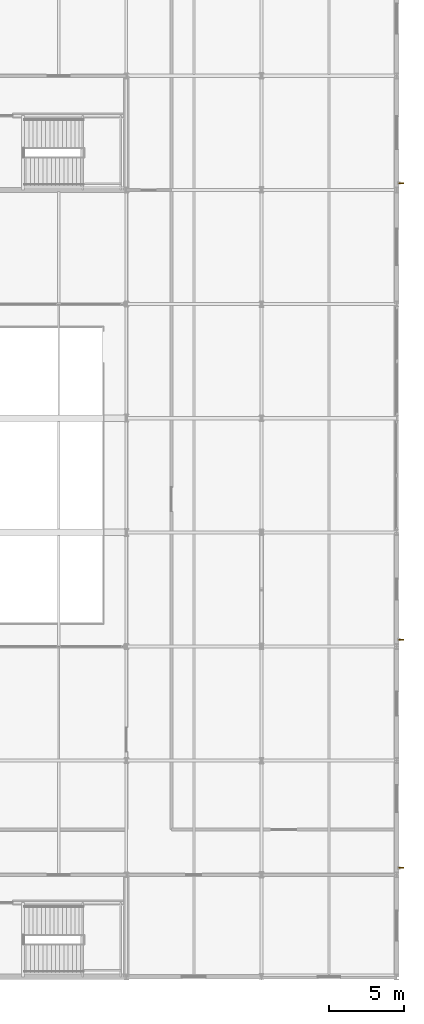
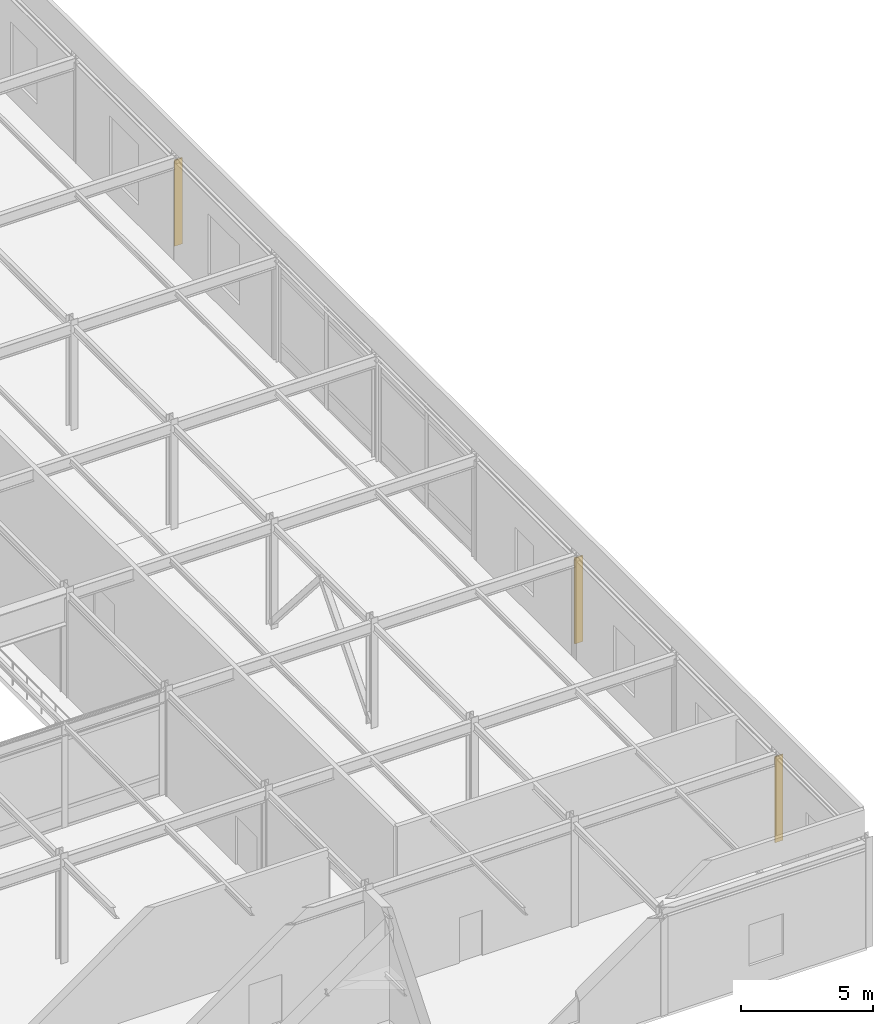
# One storey, part 78 of 79: 3 shading devices.
"""IFC4 building model written with IfcOpenShell, lengths in metres."""

import ifcopenshell
import ifcopenshell.guid

model = None  # the IFC model being written
_history = None  # IfcOwnerHistory: only IFC2X3 demands one
_inside = {}  # id of a spatial element -> (the spatial element, [elements in it])
_under = {}  # id of a project, library or spatial element -> (it, [spatial elements below it])
_declared = {}  # id of a project -> (the project, [libraries it declares])
_typed = {}  # id of a type object -> (the type object, [elements of that type])
_made_of = {}  # id of a material, layer set ... -> (it, [elements and type objects made of it])


def new_model(schema):
    """Start an empty IFC model of exactly this schema.

    Asked for "IFC4X3", IfcOpenShell would pick the latest addendum, in which some entities
    have other attributes; the version numbers below select the first issue.
    IFC2X3 requires an IfcOwnerHistory on every rooted entity: one is made here for all.
    """
    global model, _history
    if schema == "IFC4X3":
        model = ifcopenshell.file(schema_version=(4, 3, 0, 0))
    else:
        model = ifcopenshell.file(schema=schema)
    _inside.clear()
    _under.clear()
    _declared.clear()
    _typed.clear()
    _made_of.clear()
    _history = None
    if model.schema == "IFC2X3":
        org = make("IfcOrganization", Name="unknown")
        user = make(
            "IfcPersonAndOrganization",
            ThePerson=make("IfcPerson", FamilyName="unknown"),
            TheOrganization=org,
        )
        app = make(
            "IfcApplication",
            ApplicationDeveloper=org,
            Version="unknown",
            ApplicationFullName="unknown",
            ApplicationIdentifier="unknown",
        )
        _history = make(
            "IfcOwnerHistory",
            OwningUser=user,
            OwningApplication=app,
            ChangeAction="ADDED",
            CreationDate=0,
        )
    return model


def make(cls, **values):
    """One entity of the class cls with the attributes given. An attribute that is None is left unset."""
    return model.create_entity(
        cls, **{name: value for name, value in values.items() if value is not None}
    )


def rooted(cls, **values):
    """An entity with a GlobalId (a new one), such as an element, a storey or a relation."""
    return make(cls, GlobalId=ifcopenshell.guid.new(), OwnerHistory=_history, **values)


def si_unit(unit_type, name, prefix=None):
    """IfcSIUnit, for example si_unit("LENGTHUNIT", "METRE", prefix="MILLI")."""
    return make("IfcSIUnit", UnitType=unit_type, Prefix=prefix, Name=name)


def assignment(units):
    """IfcUnitAssignment: the units of a project."""
    return None if units is None else make("IfcUnitAssignment", Units=units)


def point(xyz):
    """IfcCartesianPoint."""
    return None if xyz is None else make("IfcCartesianPoint", Coordinates=xyz)


def direction(xyz):
    """IfcDirection."""
    return None if xyz is None else make("IfcDirection", DirectionRatios=xyz)


def frame(location, z_axis=None, x_axis=None):
    """IfcAxis2Placement3D, a coordinate frame: its origin and axes. An axis left out is left unset."""
    return make(
        "IfcAxis2Placement3D",
        Location=point(location),
        Axis=direction(z_axis),
        RefDirection=direction(x_axis),
    )


def frame_2d(location, x_axis=None):
    """IfcAxis2Placement2D, a coordinate frame in the plane: its origin and x axis."""
    return make(
        "IfcAxis2Placement2D", Location=point(location), RefDirection=direction(x_axis)
    )


def origin():
    """The frame at (0, 0, 0) with its axes left unset."""
    return frame((0.0, 0.0, 0.0))


def origin_2d():
    """The frame at (0, 0) in the plane with its x axis left unset."""
    return frame_2d((0.0, 0.0))


def place(relative_to, where):
    """IfcLocalPlacement: puts the frame where relative to a parent placement (None: the world)."""
    return make(
        "IfcLocalPlacement", PlacementRelTo=relative_to, RelativePlacement=where
    )


def context(
    kind, dimensions, precision=None, world=None, true_north=None, identifier=None
):
    """IfcGeometricRepresentationContext, for example the 3D "Model" context."""
    return make(
        "IfcGeometricRepresentationContext",
        ContextIdentifier=identifier,
        ContextType=kind,
        CoordinateSpaceDimension=dimensions,
        Precision=precision,
        WorldCoordinateSystem=world,
        TrueNorth=true_north,
    )


def subcontext(parent, identifier, kind, view, scale=None):
    """IfcGeometricRepresentationSubContext, for example "Body" below "Model"."""
    return make(
        "IfcGeometricRepresentationSubContext",
        ContextIdentifier=identifier,
        ContextType=kind,
        ParentContext=parent,
        TargetScale=scale,
        TargetView=view,
    )


def project(units=None, contexts=None):
    """IfcProject with its units and contexts."""
    return rooted(
        "IfcProject",
        Name="project",
        RepresentationContexts=contexts,
        UnitsInContext=assignment(units),
    )


def spatial(cls, under=None, at=None, **own):
    """A site, building, storey or space (cls), placed at a placement, below another one or the project."""
    s = rooted(cls, ObjectPlacement=at, **own)
    if under is not None:
        _under.setdefault(under.id(), (under, []))[1].append(s)
    return s


def profile(cls, at=None, kind="AREA", **sizes):
    """A parametric profile (cls). Its sizes go by their IFC names, for example OverallWidth=200.0."""
    return make(cls, ProfileType=kind, Position=at, **sizes)


def rectangle(**sizes):
    """IfcRectangleProfileDef."""
    return profile("IfcRectangleProfileDef", **sizes)


def extrude(swept, where, along, depth):
    """IfcExtrudedAreaSolid: the profile swept, set in the frame where, extruded along a direction by depth."""
    return make(
        "IfcExtrudedAreaSolid",
        SweptArea=swept,
        Position=where,
        ExtrudedDirection=direction(along),
        Depth=depth,
    )


def shape(context_of_items, identifier, shape_type, items):
    """IfcShapeRepresentation: the items that make up one representation, for example the "Body"."""
    return make(
        "IfcShapeRepresentation",
        ContextOfItems=context_of_items,
        RepresentationIdentifier=identifier,
        RepresentationType=shape_type,
        Items=items,
    )


def material(Name=None, Category=None):
    """IfcMaterial."""
    return make("IfcMaterial", Name=Name, Category=Category)


def layer(
    of_material, thickness, ventilated=None, Name=None, Category=None, Priority=None
):
    """IfcMaterialLayer: one layer of a wall or slab, of a material (None: an air gap)."""
    return make(
        "IfcMaterialLayer",
        Material=of_material,
        LayerThickness=thickness,
        IsVentilated=ventilated,
        Name=Name,
        Category=Category,
        Priority=Priority,
    )


def layer_set(layers, Name=None):
    """IfcMaterialLayerSet."""
    return make("IfcMaterialLayerSet", MaterialLayers=layers, LayerSetName=Name)


def made_of(thing, what):
    """Note that an element or type object is made of a material, layer set ...; save() writes the relation."""
    if what is not None:
        _made_of.setdefault(what.id(), (what, []))[1].append(thing)
    return thing


def type_object(cls, material=None, **own):
    """A type object (cls), such as IfcWallType, which elements share."""
    return made_of(rooted(cls, **own), material)


def element(
    cls,
    number,
    at=None,
    inside=None,
    cuts=None,
    type_object=None,
    material=None,
    context=None,
    identifier="Body",
    shape_type=None,
    held_by="IfcProductDefinitionShape",
    body=None,
    shapes=None,
    **own,
):
    """One element of the class cls, such as IfcWall. Its Tag is "e" and its number.

    at: its placement. inside: the storey or other place that contains it. cuts: it is an
    opening in that element (IfcRelVoidsElement). A single representation is given by context,
    identifier, shape_type and body (its items); several are given by shapes. held_by: the class
    of the entity that holds the representations. save() writes the other relations.
    """
    e = rooted(cls, Tag="e%d" % number, ObjectPlacement=at, **own)
    if body is not None:
        shapes = [shape(context, identifier, shape_type, body)]
    if shapes is not None:
        e.Representation = make(held_by, Representations=shapes)
    if inside is not None:
        _inside.setdefault(inside.id(), (inside, []))[1].append(e)
    if cuts is not None:
        rooted(
            "IfcRelVoidsElement", RelatingBuildingElement=cuts, RelatedOpeningElement=e
        )
    if type_object is not None:
        _typed.setdefault(type_object.id(), (type_object, []))[1].append(e)
    return made_of(e, material)


def aggregate(whole, parts):
    """IfcRelAggregates: a whole, such as a stair, and the parts it consists of."""
    return rooted("IfcRelAggregates", RelatingObject=whole, RelatedObjects=parts)


def save(model, path):
    """Write the relations noted so far, then the file.

    IfcRelAggregates (storeys below a building ...), IfcRelContainedInSpatialStructure (elements
    in a storey), IfcRelDefinesByType, IfcRelAssociatesMaterial and IfcRelDeclares: one each for
    every whole, place, type object, material and project.
    """
    for whole, parts in _under.values():
        aggregate(whole, parts)
    for where, things in _inside.values():
        rooted(
            "IfcRelContainedInSpatialStructure",
            RelatedElements=things,
            RelatingStructure=where,
        )
    for kind, things in _typed.values():
        rooted("IfcRelDefinesByType", RelatedObjects=things, RelatingType=kind)
    for what, things in _made_of.values():
        rooted("IfcRelAssociatesMaterial", RelatedObjects=things, RelatingMaterial=what)
    for by, libraries in _declared.values():
        rooted("IfcRelDeclares", RelatingContext=by, RelatedDefinitions=libraries)
    model.write(path)


model = new_model("IFC4")

# Units and contexts
model_context = context("Model", 3, precision=1e-05, world=origin(), true_north=direction((0.0, 1.0)))
body_context = subcontext(model_context, "Body", "Model", "MODEL_VIEW")
ifc_project = project(units=[si_unit("LENGTHUNIT", "METRE"), si_unit("AREAUNIT", "SQUARE_METRE"), si_unit("VOLUMEUNIT", "CUBIC_METRE"), si_unit("PLANEANGLEUNIT", "RADIAN"), si_unit("MASSUNIT", "GRAM", prefix="KILO")], contexts=[model_context])

# Site, building, storey
site_placement = place(None, origin())
site = spatial("IfcSite", under=ifc_project, at=site_placement, CompositionType="ELEMENT")
building_placement = place(site_placement, origin())
building = spatial("IfcBuilding", under=site, at=building_placement, Name="Shalkamar Park Central Library", CompositionType="ELEMENT")
storey_placement = place(building_placement, frame((0.0, 0.0, 10.5)))
storey = spatial("IfcBuildingStorey", under=building, at=storey_placement, Name="L03", CompositionType="ELEMENT", Elevation=10.5)

# Shading devices
ifc_material = material(Name="Anodized bronze aluminium solar fin", Category="aluminium")
ifc_layer = layer(ifc_material, 0.06005859375)
ifc_layer_set = layer_set([ifc_layer], Name="BronzeSolarLouvreBlade")
shading_device_type = type_object("IfcShadingDeviceType", Name="Bronze Solar Louvre Blade", PredefinedType="SHUTTER", material=ifc_layer_set)
for number, where, z_axis, x_axis, name in (
    (1, (273.31494140625, 255.656005859375, 0.300048828125), (0.0, 0.0, 1.0), (1.0, 0.0, 0.0), "Vertical Solar Fin L03-004"),
    (2, (273.31494140625, 270.85595703125, 0.300048828125), (0.0, 0.0, 1.0), (1.0, 0.0, 0.0), "Vertical Solar Fin L03-005"),
    (3, (273.31494140625, 301.256103515625, 0.300048828125), (0.0, 0.0, 1.0), (1.0, 0.0, 0.0), "Vertical Solar Fin L03-006"),
):
    element("IfcShadingDevice", number, at=place(storey_placement, frame(where, z_axis=z_axis, x_axis=x_axis)), inside=storey, type_object=shading_device_type, Name=name, PredefinedType="SHUTTER", context=body_context, shape_type="SweptSolid", body=[
        extrude(rectangle(XDim=0.35009765625, YDim=0.06005859375, at=origin_2d()), origin(), (0.0, 0.0, 1.0), 3.97802734375),
    ])

save(model, "model.ifc")
